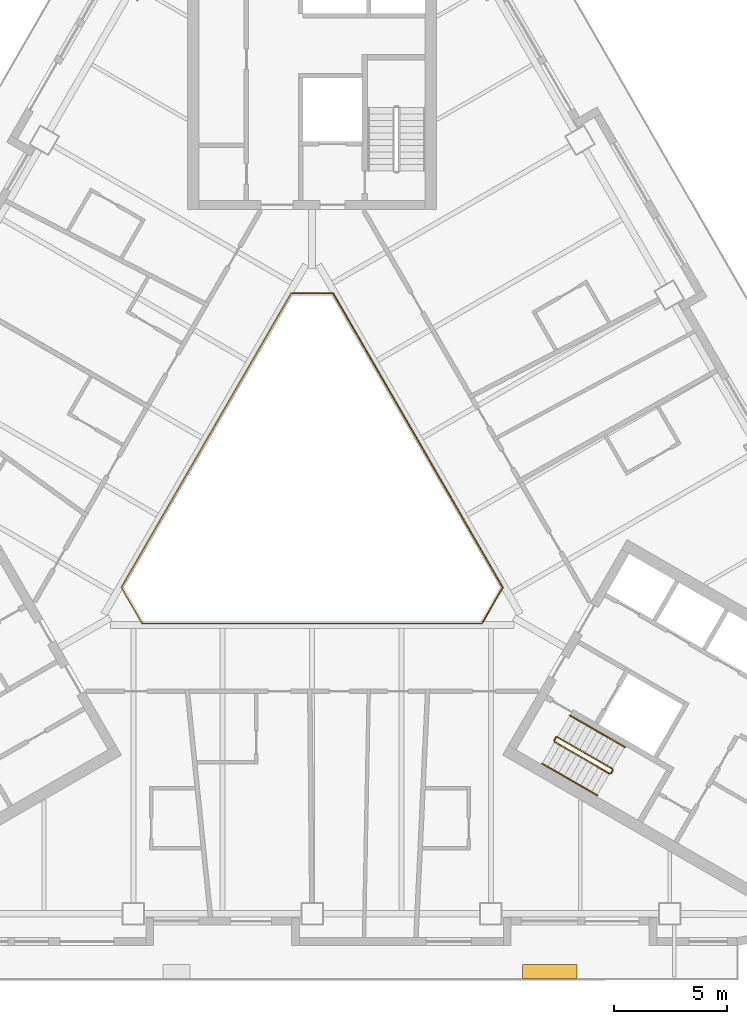
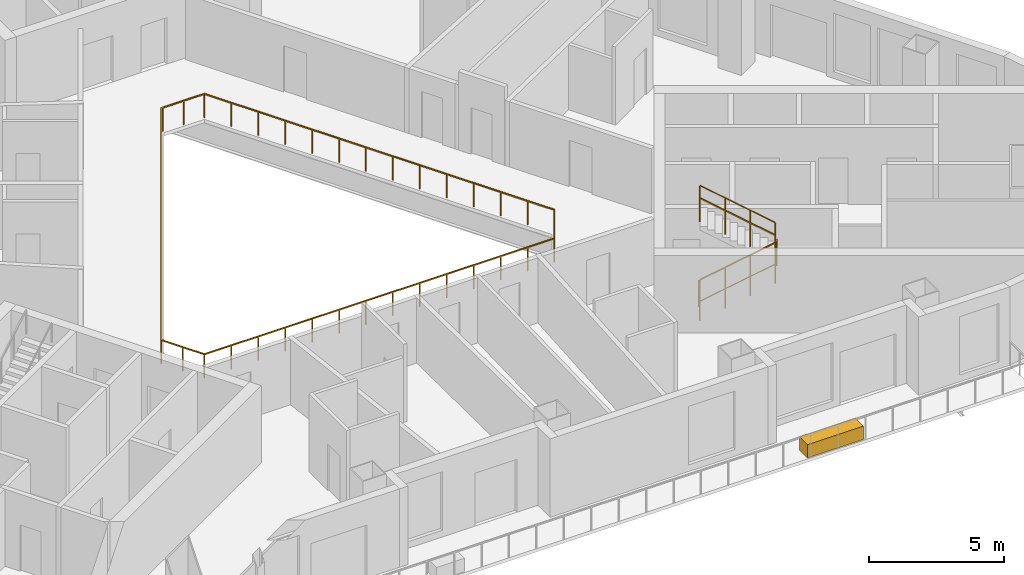
# One storey, part 12 of 14: 8 railings, 1 covering.
"""IFC4 building model written with IfcOpenShell, lengths in metres."""

import ifcopenshell
import ifcopenshell.guid

model = None  # the IFC model being written
_history = None  # IfcOwnerHistory: only IFC2X3 demands one
_inside = {}  # id of a spatial element -> (the spatial element, [elements in it])
_under = {}  # id of a project, library or spatial element -> (it, [spatial elements below it])
_declared = {}  # id of a project -> (the project, [libraries it declares])
_typed = {}  # id of a type object -> (the type object, [elements of that type])
_made_of = {}  # id of a material, layer set ... -> (it, [elements and type objects made of it])


def new_model(schema):
    """Start an empty IFC model of exactly this schema.

    Asked for "IFC4X3", IfcOpenShell would pick the latest addendum, in which some entities
    have other attributes; the version numbers below select the first issue.
    IFC2X3 requires an IfcOwnerHistory on every rooted entity: one is made here for all.
    """
    global model, _history
    if schema == "IFC4X3":
        model = ifcopenshell.file(schema_version=(4, 3, 0, 0))
    else:
        model = ifcopenshell.file(schema=schema)
    _inside.clear()
    _under.clear()
    _declared.clear()
    _typed.clear()
    _made_of.clear()
    _history = None
    if model.schema == "IFC2X3":
        org = make("IfcOrganization", Name="unknown")
        user = make(
            "IfcPersonAndOrganization",
            ThePerson=make("IfcPerson", FamilyName="unknown"),
            TheOrganization=org,
        )
        app = make(
            "IfcApplication",
            ApplicationDeveloper=org,
            Version="unknown",
            ApplicationFullName="unknown",
            ApplicationIdentifier="unknown",
        )
        _history = make(
            "IfcOwnerHistory",
            OwningUser=user,
            OwningApplication=app,
            ChangeAction="ADDED",
            CreationDate=0,
        )
    return model


def make(cls, **values):
    """One entity of the class cls with the attributes given. An attribute that is None is left unset."""
    return model.create_entity(
        cls, **{name: value for name, value in values.items() if value is not None}
    )


def rooted(cls, **values):
    """An entity with a GlobalId (a new one), such as an element, a storey or a relation."""
    return make(cls, GlobalId=ifcopenshell.guid.new(), OwnerHistory=_history, **values)


def si_unit(unit_type, name, prefix=None):
    """IfcSIUnit, for example si_unit("LENGTHUNIT", "METRE", prefix="MILLI")."""
    return make("IfcSIUnit", UnitType=unit_type, Prefix=prefix, Name=name)


def assignment(units):
    """IfcUnitAssignment: the units of a project."""
    return None if units is None else make("IfcUnitAssignment", Units=units)


def point(xyz):
    """IfcCartesianPoint."""
    return None if xyz is None else make("IfcCartesianPoint", Coordinates=xyz)


def direction(xyz):
    """IfcDirection."""
    return None if xyz is None else make("IfcDirection", DirectionRatios=xyz)


def frame(location, z_axis=None, x_axis=None):
    """IfcAxis2Placement3D, a coordinate frame: its origin and axes. An axis left out is left unset."""
    return make(
        "IfcAxis2Placement3D",
        Location=point(location),
        Axis=direction(z_axis),
        RefDirection=direction(x_axis),
    )


def frame_2d(location, x_axis=None):
    """IfcAxis2Placement2D, a coordinate frame in the plane: its origin and x axis."""
    return make(
        "IfcAxis2Placement2D", Location=point(location), RefDirection=direction(x_axis)
    )


def origin():
    """The frame at (0, 0, 0) with its axes left unset."""
    return frame((0.0, 0.0, 0.0))


def origin_2d():
    """The frame at (0, 0) in the plane with its x axis left unset."""
    return frame_2d((0.0, 0.0))


def place(relative_to, where):
    """IfcLocalPlacement: puts the frame where relative to a parent placement (None: the world)."""
    return make(
        "IfcLocalPlacement", PlacementRelTo=relative_to, RelativePlacement=where
    )


def context(
    kind, dimensions, precision=None, world=None, true_north=None, identifier=None
):
    """IfcGeometricRepresentationContext, for example the 3D "Model" context."""
    return make(
        "IfcGeometricRepresentationContext",
        ContextIdentifier=identifier,
        ContextType=kind,
        CoordinateSpaceDimension=dimensions,
        Precision=precision,
        WorldCoordinateSystem=world,
        TrueNorth=true_north,
    )


def subcontext(parent, identifier, kind, view, scale=None):
    """IfcGeometricRepresentationSubContext, for example "Body" below "Model"."""
    return make(
        "IfcGeometricRepresentationSubContext",
        ContextIdentifier=identifier,
        ContextType=kind,
        ParentContext=parent,
        TargetScale=scale,
        TargetView=view,
    )


def project(units=None, contexts=None):
    """IfcProject with its units and contexts."""
    return rooted(
        "IfcProject",
        Name="project",
        RepresentationContexts=contexts,
        UnitsInContext=assignment(units),
    )


def spatial(cls, under=None, at=None, **own):
    """A site, building, storey or space (cls), placed at a placement, below another one or the project."""
    s = rooted(cls, ObjectPlacement=at, **own)
    if under is not None:
        _under.setdefault(under.id(), (under, []))[1].append(s)
    return s


def profile(cls, at=None, kind="AREA", **sizes):
    """A parametric profile (cls). Its sizes go by their IFC names, for example OverallWidth=200.0."""
    return make(cls, ProfileType=kind, Position=at, **sizes)


def rectangle(**sizes):
    """IfcRectangleProfileDef."""
    return profile("IfcRectangleProfileDef", **sizes)


def circle(**sizes):
    """IfcCircleProfileDef."""
    return profile("IfcCircleProfileDef", **sizes)


def extrude(swept, where, along, depth):
    """IfcExtrudedAreaSolid: the profile swept, set in the frame where, extruded along a direction by depth."""
    return make(
        "IfcExtrudedAreaSolid",
        SweptArea=swept,
        Position=where,
        ExtrudedDirection=direction(along),
        Depth=depth,
    )


def shape(context_of_items, identifier, shape_type, items):
    """IfcShapeRepresentation: the items that make up one representation, for example the "Body"."""
    return make(
        "IfcShapeRepresentation",
        ContextOfItems=context_of_items,
        RepresentationIdentifier=identifier,
        RepresentationType=shape_type,
        Items=items,
    )


def material(Name=None, Category=None):
    """IfcMaterial."""
    return make("IfcMaterial", Name=Name, Category=Category)


def made_of(thing, what):
    """Note that an element or type object is made of a material, layer set ...; save() writes the relation."""
    if what is not None:
        _made_of.setdefault(what.id(), (what, []))[1].append(thing)
    return thing


def type_object(cls, material=None, **own):
    """A type object (cls), such as IfcWallType, which elements share."""
    return made_of(rooted(cls, **own), material)


def element(
    cls,
    number,
    at=None,
    inside=None,
    cuts=None,
    type_object=None,
    material=None,
    context=None,
    identifier="Body",
    shape_type=None,
    held_by="IfcProductDefinitionShape",
    body=None,
    shapes=None,
    **own,
):
    """One element of the class cls, such as IfcWall. Its Tag is "e" and its number.

    at: its placement. inside: the storey or other place that contains it. cuts: it is an
    opening in that element (IfcRelVoidsElement). A single representation is given by context,
    identifier, shape_type and body (its items); several are given by shapes. held_by: the class
    of the entity that holds the representations. save() writes the other relations.
    """
    e = rooted(cls, Tag="e%d" % number, ObjectPlacement=at, **own)
    if body is not None:
        shapes = [shape(context, identifier, shape_type, body)]
    if shapes is not None:
        e.Representation = make(held_by, Representations=shapes)
    if inside is not None:
        _inside.setdefault(inside.id(), (inside, []))[1].append(e)
    if cuts is not None:
        rooted(
            "IfcRelVoidsElement", RelatingBuildingElement=cuts, RelatedOpeningElement=e
        )
    if type_object is not None:
        _typed.setdefault(type_object.id(), (type_object, []))[1].append(e)
    return made_of(e, material)


def aggregate(whole, parts):
    """IfcRelAggregates: a whole, such as a stair, and the parts it consists of."""
    return rooted("IfcRelAggregates", RelatingObject=whole, RelatedObjects=parts)


def save(model, path):
    """Write the relations noted so far, then the file.

    IfcRelAggregates (storeys below a building ...), IfcRelContainedInSpatialStructure (elements
    in a storey), IfcRelDefinesByType, IfcRelAssociatesMaterial and IfcRelDeclares: one each for
    every whole, place, type object, material and project.
    """
    for whole, parts in _under.values():
        aggregate(whole, parts)
    for where, things in _inside.values():
        rooted(
            "IfcRelContainedInSpatialStructure",
            RelatedElements=things,
            RelatingStructure=where,
        )
    for kind, things in _typed.values():
        rooted("IfcRelDefinesByType", RelatedObjects=things, RelatingType=kind)
    for what, things in _made_of.values():
        rooted("IfcRelAssociatesMaterial", RelatedObjects=things, RelatingMaterial=what)
    for by, libraries in _declared.values():
        rooted("IfcRelDeclares", RelatingContext=by, RelatedDefinitions=libraries)
    model.write(path)


model = new_model("IFC4")

# Units and contexts
model_context = context("Model", 3, precision=1e-05, world=origin(), true_north=direction((0.0, 1.0)))
body_context = subcontext(model_context, "Body", "Model", "MODEL_VIEW")
ifc_project = project(units=[si_unit("LENGTHUNIT", "METRE"), si_unit("AREAUNIT", "SQUARE_METRE"), si_unit("VOLUMEUNIT", "CUBIC_METRE"), si_unit("PLANEANGLEUNIT", "RADIAN"), si_unit("MASSUNIT", "GRAM", prefix="KILO")], contexts=[model_context])

# Site, building, storey
site_placement = place(None, origin())
site = spatial("IfcSite", under=ifc_project, at=site_placement, CompositionType="ELEMENT")
building_placement = place(site_placement, origin())
building = spatial("IfcBuilding", under=site, at=building_placement, Name="Apuvela Tower Hotel", CompositionType="ELEMENT")
storey_placement = place(building_placement, frame((0.0, 0.0, 72.39990234375)))
storey = spatial("IfcBuildingStorey", under=building, at=storey_placement, Name="L15", CompositionType="ELEMENT", Elevation=72.39990234375)

# Railings
ifc_material_1 = material(Name="Steel S275 balustrade", Category="steel")
railing_type_1 = type_object("IfcRailingType", Name="COR-GUARD-1100", PredefinedType="GUARDRAIL", material=ifc_material_1)
railing_1_placement = place(storey_placement, frame((10.718994140625, -10.63427734375, 0.168212890625)))
element("IfcRailing", 1, at=railing_1_placement, inside=storey, type_object=railing_type_1, Name="L15 ST3 stair guard 1", PredefinedType="GUARDRAIL", context=body_context, shape_type="SweptSolid", body=[
    extrude(rectangle(XDim=0.048095703125, YDim=0.048095703125, at=origin_2d()), frame((0.0, 0.0, 1.076171875), z_axis=(0.742390482028, -0.42860119049, 0.514934356695), x_axis=(0.49998411664, 0.866034573852, 0.0)), (0.0, 0.0, 1.0), 3.26611328125),
    extrude(rectangle(XDim=0.0419921875, YDim=0.0419921875, at=origin_2d()), origin(), (0.0, 0.0, 1.0), 1.052001953125),
    extrude(rectangle(XDim=0.0419921875, YDim=0.0419921875, at=origin_2d()), frame((0.808349609375, -0.466552734375, 0.560546875)), (0.0, 0.0, 1.0), 1.052001953125),
    extrude(rectangle(XDim=0.0419921875, YDim=0.0419921875, at=origin_2d()), frame((1.616455078125, -0.933349609375, 1.121337890625)), (0.0, 0.0, 1.0), 1.052001953125),
    extrude(rectangle(XDim=0.0419921875, YDim=0.0419921875, at=origin_2d()), frame((2.4248046875, -1.39990234375, 1.681884765625)), (0.0, 0.0, 1.0), 1.052001953125),
])
railing_2_placement = place(storey_placement, frame((13.212158203125, -12.015869140625, 1.85009765625)))
element("IfcRailing", 2, at=railing_2_placement, inside=storey, type_object=railing_type_1, Name="L15 ST3 stair guard 2", PredefinedType="GUARDRAIL", context=body_context, shape_type="SweptSolid", body=[
    extrude(rectangle(XDim=0.048095703125, YDim=0.048095703125, at=origin_2d()), frame((0.0, 0.0, 1.076171875), z_axis=(0.499816412211, 0.866131372301, 0.0), x_axis=(-0.866131372301, 0.499816412211, 0.0)), (0.0, 0.0, 1.0), 0.14990234375),
    extrude(rectangle(XDim=0.0419921875, YDim=0.0419921875, at=origin_2d()), origin(), (0.0, 0.0, 1.0), 1.052001953125),
    extrude(rectangle(XDim=0.0419921875, YDim=0.0419921875, at=origin_2d()), frame((0.074951171875, 0.1298828125, 0.0)), (0.0, 0.0, 1.0), 1.052001953125),
])
railing_3_placement = place(storey_placement, frame((13.268798828125, -11.817626953125, 2.018310546875)))
element("IfcRailing", 3, at=railing_3_placement, inside=storey, type_object=railing_type_1, Name="L15 ST3 stair guard 3", PredefinedType="GUARDRAIL", context=body_context, shape_type="SweptSolid", body=[
    extrude(rectangle(XDim=0.048095703125, YDim=0.048095703125, at=origin_2d()), frame((0.0, 0.0, 1.076171875), z_axis=(-0.742390482028, 0.42860119049, 0.514934356695), x_axis=(-0.49998411664, -0.866034573852, 0.0)), (0.0, 0.0, 1.0), 3.26611328125),
    extrude(rectangle(XDim=0.0419921875, YDim=0.0419921875, at=origin_2d()), origin(), (0.0, 0.0, 1.0), 1.052001953125),
    extrude(rectangle(XDim=0.0419921875, YDim=0.0419921875, at=origin_2d()), frame((-0.808349609375, 0.466552734375, 0.560546875)), (0.0, 0.0, 1.0), 1.052001953125),
    extrude(rectangle(XDim=0.0419921875, YDim=0.0419921875, at=origin_2d()), frame((-1.616455078125, 0.933349609375, 1.121337890625)), (0.0, 0.0, 1.0), 1.052001953125),
    extrude(rectangle(XDim=0.0419921875, YDim=0.0419921875, at=origin_2d()), frame((-2.4248046875, 1.39990234375, 1.681884765625)), (0.0, 0.0, 1.0), 1.052001953125),
])
railing_4_placement = place(storey_placement, frame((10.70068359375, -10.56591796875, 0.0)))
element("IfcRailing", 4, at=railing_4_placement, inside=storey, type_object=railing_type_1, Name="L15 ST3 stair guard 4", PredefinedType="GUARDRAIL", context=body_context, shape_type="SweptSolid", body=[
    extrude(rectangle(XDim=0.048095703125, YDim=0.048095703125, at=origin_2d()), frame((0.0, 0.0, 1.076171875), z_axis=(0.499816412211, 0.866131372301, 0.0), x_axis=(-0.866131372301, 0.499816412211, 0.0)), (0.0, 0.0, 1.0), 0.14990234375),
    extrude(rectangle(XDim=0.0419921875, YDim=0.0419921875, at=origin_2d()), origin(), (0.0, 0.0, 1.0), 1.052001953125),
    extrude(rectangle(XDim=0.0419921875, YDim=0.0419921875, at=origin_2d()), frame((0.074951171875, 0.1298828125, 0.0)), (0.0, 0.0, 1.0), 1.052001953125),
])
ifc_material_2 = material(Name="Stainless steel 316 handrail", Category="steel")
railing_type_2 = type_object("IfcRailingType", Name="COR-HANDRAIL-900", PredefinedType="HANDRAIL", material=ifc_material_2)
railing_5_placement = place(storey_placement, frame((10.1689453125, -11.5869140625, 0.168212890625)))
element("IfcRailing", 5, at=railing_5_placement, inside=storey, type_object=railing_type_2, Name="L15 ST3 stair handrail 1", PredefinedType="HANDRAIL", context=body_context, shape_type="SweptSolid", body=[
    extrude(circle(Radius=0.02392578125, at=origin_2d()), frame((0.0, 0.0, 0.8759765625), z_axis=(0.742390482028, -0.42860119049, 0.514934356695), x_axis=(0.49998411664, 0.866034573852, 0.0)), (0.0, 0.0, 1.0), 3.26611328125),
    extrude(rectangle(XDim=0.0419921875, YDim=0.0419921875, at=origin_2d()), origin(), (0.0, 0.0, 1.0), 0.851806640625),
    extrude(rectangle(XDim=0.0419921875, YDim=0.0419921875, at=origin_2d()), frame((0.808349609375, -0.466552734375, 0.560546875)), (0.0, 0.0, 1.0), 0.851806640625),
    extrude(rectangle(XDim=0.0419921875, YDim=0.0419921875, at=origin_2d()), frame((1.616455078125, -0.933349609375, 1.121337890625)), (0.0, 0.0, 1.0), 0.851806640625),
    extrude(rectangle(XDim=0.0419921875, YDim=0.0419921875, at=origin_2d()), frame((2.4248046875, -1.39990234375, 1.681884765625)), (0.0, 0.0, 1.0), 0.851806640625),
])
railing_6_placement = place(storey_placement, frame((13.81884765625, -10.864990234375, 2.018310546875)))
element("IfcRailing", 6, at=railing_6_placement, inside=storey, type_object=railing_type_2, Name="L15 ST3 stair handrail 2", PredefinedType="HANDRAIL", context=body_context, shape_type="SweptSolid", body=[
    extrude(circle(Radius=0.02392578125, at=origin_2d()), frame((0.0, 0.0, 0.8759765625), z_axis=(-0.742390482028, 0.42860119049, 0.514934356695), x_axis=(-0.49998411664, -0.866034573852, 0.0)), (0.0, 0.0, 1.0), 3.26611328125),
    extrude(rectangle(XDim=0.0419921875, YDim=0.0419921875, at=origin_2d()), origin(), (0.0, 0.0, 1.0), 0.851806640625),
    extrude(rectangle(XDim=0.0419921875, YDim=0.0419921875, at=origin_2d()), frame((-0.808349609375, 0.466552734375, 0.560546875)), (0.0, 0.0, 1.0), 0.851806640625),
    extrude(rectangle(XDim=0.0419921875, YDim=0.0419921875, at=origin_2d()), frame((-1.616455078125, 0.933349609375, 1.121337890625)), (0.0, 0.0, 1.0), 0.851806640625),
    extrude(rectangle(XDim=0.0419921875, YDim=0.0419921875, at=origin_2d()), frame((-2.4248046875, 1.39990234375, 1.681884765625)), (0.0, 0.0, 1.0), 0.851806640625),
])
ifc_material_3 = material(Name="Stainless steel 316 rail with laminated glass infill", Category="steel")
railing_type_3 = type_object("IfcRailingType", Name="ENV-GUARD-1100", PredefinedType="GUARDRAIL", material=ifc_material_3)
railing_7_placement = place(storey_placement, frame((-0.923828125, 9.199951171875, 0.0)))
element("IfcRailing", 7, at=railing_7_placement, inside=storey, type_object=railing_type_3, Name="Atrium void guard A L15", PredefinedType="GUARDRAIL", context=body_context, shape_type="SweptSolid", body=[
    extrude(rectangle(XDim=0.050048828125, YDim=0.050048828125, at=origin_2d()), frame((0.0, 0.0, 1.0751953125), z_axis=(-0.499990886379, -0.866030665472, 0.0), x_axis=(0.866030665472, -0.499990886379, 0.0)), (0.0, 0.0, 1.0), 15.010986328125),
    extrude(rectangle(XDim=0.050048828125, YDim=0.050048828125, at=origin_2d()), frame((-7.50537109375, -13.0, 1.0751953125), z_axis=(0.499962699187, -0.866046938348, 0.0), x_axis=(0.866046938348, 0.499962699187, 0.0)), (0.0, 0.0, 1.0), 1.847412109375),
    extrude(rectangle(XDim=0.050048828125, YDim=0.050048828125, at=origin_2d()), frame((-6.581787109375, -14.599853515625, 1.0751953125), z_axis=(1.0, 0.0, 0.0), x_axis=(0.0, 1.0, 0.0)), (0.0, 0.0, 1.0), 15.01123046875),
    extrude(rectangle(XDim=0.0400390625, YDim=0.0400390625, at=origin_2d()), origin(), (0.0, 0.0, 1.0), 1.050048828125),
    extrude(rectangle(XDim=0.0400390625, YDim=0.0400390625, at=origin_2d()), frame((-0.577392578125, -1.0, 0.0)), (0.0, 0.0, 1.0), 1.050048828125),
    extrude(rectangle(XDim=0.0400390625, YDim=0.0400390625, at=origin_2d()), frame((-1.15478515625, -2.0, 0.0)), (0.0, 0.0, 1.0), 1.050048828125),
    extrude(rectangle(XDim=0.0400390625, YDim=0.0400390625, at=origin_2d()), frame((-1.73193359375, -3.0, 0.0)), (0.0, 0.0, 1.0), 1.050048828125),
    extrude(rectangle(XDim=0.0400390625, YDim=0.0400390625, at=origin_2d()), frame((-2.309326171875, -4.0, 0.0)), (0.0, 0.0, 1.0), 1.050048828125),
    extrude(rectangle(XDim=0.0400390625, YDim=0.0400390625, at=origin_2d()), frame((-2.88671875, -5.0, 0.0)), (0.0, 0.0, 1.0), 1.050048828125),
    extrude(rectangle(XDim=0.0400390625, YDim=0.0400390625, at=origin_2d()), frame((-3.464111328125, -6.0, 0.0)), (0.0, 0.0, 1.0), 1.050048828125),
    extrude(rectangle(XDim=0.0400390625, YDim=0.0400390625, at=origin_2d()), frame((-4.041259765625, -7.0, 0.0)), (0.0, 0.0, 1.0), 1.050048828125),
    extrude(rectangle(XDim=0.0400390625, YDim=0.0400390625, at=origin_2d()), frame((-4.61865234375, -8.0, 0.0)), (0.0, 0.0, 1.0), 1.050048828125),
    extrude(rectangle(XDim=0.0400390625, YDim=0.0400390625, at=origin_2d()), frame((-5.196044921875, -9.0, 0.0)), (0.0, 0.0, 1.0), 1.050048828125),
    extrude(rectangle(XDim=0.0400390625, YDim=0.0400390625, at=origin_2d()), frame((-5.7734375, -10.0, 0.0)), (0.0, 0.0, 1.0), 1.050048828125),
    extrude(rectangle(XDim=0.0400390625, YDim=0.0400390625, at=origin_2d()), frame((-6.3505859375, -11.0, 0.0)), (0.0, 0.0, 1.0), 1.050048828125),
    extrude(rectangle(XDim=0.0400390625, YDim=0.0400390625, at=origin_2d()), frame((-6.927978515625, -12.0, 0.0)), (0.0, 0.0, 1.0), 1.050048828125),
    extrude(rectangle(XDim=0.0400390625, YDim=0.0400390625, at=origin_2d()), frame((-7.50537109375, -13.0, 0.0)), (0.0, 0.0, 1.0), 1.050048828125),
    extrude(rectangle(XDim=0.0400390625, YDim=0.0400390625, at=origin_2d()), frame((-7.04345703125, -13.7998046875, 0.0)), (0.0, 0.0, 1.0), 1.050048828125),
    extrude(rectangle(XDim=0.0400390625, YDim=0.0400390625, at=origin_2d()), frame((-6.581787109375, -14.599853515625, 0.0)), (0.0, 0.0, 1.0), 1.050048828125),
    extrude(rectangle(XDim=0.0400390625, YDim=0.0400390625, at=origin_2d()), frame((-5.427001953125, -14.599853515625, 0.0)), (0.0, 0.0, 1.0), 1.050048828125),
    extrude(rectangle(XDim=0.0400390625, YDim=0.0400390625, at=origin_2d()), frame((-4.2724609375, -14.599853515625, 0.0)), (0.0, 0.0, 1.0), 1.050048828125),
    extrude(rectangle(XDim=0.0400390625, YDim=0.0400390625, at=origin_2d()), frame((-3.11767578125, -14.599853515625, 0.0)), (0.0, 0.0, 1.0), 1.050048828125),
    extrude(rectangle(XDim=0.0400390625, YDim=0.0400390625, at=origin_2d()), frame((-1.962890625, -14.599853515625, 0.0)), (0.0, 0.0, 1.0), 1.050048828125),
    extrude(rectangle(XDim=0.0400390625, YDim=0.0400390625, at=origin_2d()), frame((-0.808349609375, -14.599853515625, 0.0)), (0.0, 0.0, 1.0), 1.050048828125),
    extrude(rectangle(XDim=0.0400390625, YDim=0.0400390625, at=origin_2d()), frame((0.346435546875, -14.599853515625, 0.0)), (0.0, 0.0, 1.0), 1.050048828125),
    extrude(rectangle(XDim=0.0400390625, YDim=0.0400390625, at=origin_2d()), frame((1.501220703125, -14.599853515625, 0.0)), (0.0, 0.0, 1.0), 1.050048828125),
    extrude(rectangle(XDim=0.0400390625, YDim=0.0400390625, at=origin_2d()), frame((2.656005859375, -14.599853515625, 0.0)), (0.0, 0.0, 1.0), 1.050048828125),
    extrude(rectangle(XDim=0.0400390625, YDim=0.0400390625, at=origin_2d()), frame((3.810546875, -14.599853515625, 0.0)), (0.0, 0.0, 1.0), 1.050048828125),
    extrude(rectangle(XDim=0.0400390625, YDim=0.0400390625, at=origin_2d()), frame((4.96533203125, -14.599853515625, 0.0)), (0.0, 0.0, 1.0), 1.050048828125),
    extrude(rectangle(XDim=0.0400390625, YDim=0.0400390625, at=origin_2d()), frame((6.1201171875, -14.599853515625, 0.0)), (0.0, 0.0, 1.0), 1.050048828125),
    extrude(rectangle(XDim=0.0400390625, YDim=0.0400390625, at=origin_2d()), frame((7.274658203125, -14.599853515625, 0.0)), (0.0, 0.0, 1.0), 1.050048828125),
    extrude(rectangle(XDim=0.0400390625, YDim=0.0400390625, at=origin_2d()), frame((8.429443359375, -14.599853515625, 0.0)), (0.0, 0.0, 1.0), 1.050048828125),
])
railing_8_placement = place(storey_placement, frame((7.53564453125, -5.347900390625, 0.0)))
element("IfcRailing", 8, at=railing_8_placement, inside=storey, type_object=railing_type_3, Name="Atrium void guard B L15", PredefinedType="GUARDRAIL", context=body_context, shape_type="SweptSolid", body=[
    extrude(rectangle(XDim=0.050048828125, YDim=0.050048828125, at=origin_2d()), frame((0.0, 0.0, 1.0751953125), z_axis=(0.499958946799, 0.866049104564, 0.0), x_axis=(-0.866049104564, 0.499958946799, 0.0)), (0.0, 0.0, 1.0), 1.787353515625),
    extrude(rectangle(XDim=0.050048828125, YDim=0.050048828125, at=origin_2d()), frame((0.8935546875, 1.5478515625, 1.0751953125), z_axis=(-0.499990886379, 0.866030665472, 0.0), x_axis=(-0.866030665472, -0.499990886379, 0.0)), (0.0, 0.0, 1.0), 15.010986328125),
    extrude(rectangle(XDim=0.050048828125, YDim=0.050048828125, at=origin_2d()), frame((-6.61181640625, 14.5478515625, 1.0751953125), z_axis=(-1.0, 0.0, 0.0), x_axis=(0.0, -1.0, 0.0)), (0.0, 0.0, 1.0), 1.78759765625),
    extrude(rectangle(XDim=0.0400390625, YDim=0.0400390625, at=origin_2d()), origin(), (0.0, 0.0, 1.0), 1.050048828125),
    extrude(rectangle(XDim=0.0400390625, YDim=0.0400390625, at=origin_2d()), frame((0.44677734375, 0.77392578125, 0.0)), (0.0, 0.0, 1.0), 1.050048828125),
    extrude(rectangle(XDim=0.0400390625, YDim=0.0400390625, at=origin_2d()), frame((0.8935546875, 1.5478515625, 0.0)), (0.0, 0.0, 1.0), 1.050048828125),
    extrude(rectangle(XDim=0.0400390625, YDim=0.0400390625, at=origin_2d()), frame((0.316162109375, 2.5478515625, 0.0)), (0.0, 0.0, 1.0), 1.050048828125),
    extrude(rectangle(XDim=0.0400390625, YDim=0.0400390625, at=origin_2d()), frame((-0.26123046875, 3.5478515625, 0.0)), (0.0, 0.0, 1.0), 1.050048828125),
    extrude(rectangle(XDim=0.0400390625, YDim=0.0400390625, at=origin_2d()), frame((-0.83837890625, 4.5478515625, 0.0)), (0.0, 0.0, 1.0), 1.050048828125),
    extrude(rectangle(XDim=0.0400390625, YDim=0.0400390625, at=origin_2d()), frame((-1.415771484375, 5.5478515625, 0.0)), (0.0, 0.0, 1.0), 1.050048828125),
    extrude(rectangle(XDim=0.0400390625, YDim=0.0400390625, at=origin_2d()), frame((-1.9931640625, 6.5478515625, 0.0)), (0.0, 0.0, 1.0), 1.050048828125),
    extrude(rectangle(XDim=0.0400390625, YDim=0.0400390625, at=origin_2d()), frame((-2.570556640625, 7.5478515625, 0.0)), (0.0, 0.0, 1.0), 1.050048828125),
    extrude(rectangle(XDim=0.0400390625, YDim=0.0400390625, at=origin_2d()), frame((-3.147705078125, 8.5478515625, 0.0)), (0.0, 0.0, 1.0), 1.050048828125),
    extrude(rectangle(XDim=0.0400390625, YDim=0.0400390625, at=origin_2d()), frame((-3.72509765625, 9.5478515625, 0.0)), (0.0, 0.0, 1.0), 1.050048828125),
    extrude(rectangle(XDim=0.0400390625, YDim=0.0400390625, at=origin_2d()), frame((-4.302490234375, 10.5478515625, 0.0)), (0.0, 0.0, 1.0), 1.050048828125),
    extrude(rectangle(XDim=0.0400390625, YDim=0.0400390625, at=origin_2d()), frame((-4.8798828125, 11.5478515625, 0.0)), (0.0, 0.0, 1.0), 1.050048828125),
    extrude(rectangle(XDim=0.0400390625, YDim=0.0400390625, at=origin_2d()), frame((-5.45703125, 12.5478515625, 0.0)), (0.0, 0.0, 1.0), 1.050048828125),
    extrude(rectangle(XDim=0.0400390625, YDim=0.0400390625, at=origin_2d()), frame((-6.034423828125, 13.5478515625, 0.0)), (0.0, 0.0, 1.0), 1.050048828125),
    extrude(rectangle(XDim=0.0400390625, YDim=0.0400390625, at=origin_2d()), frame((-6.61181640625, 14.5478515625, 0.0)), (0.0, 0.0, 1.0), 1.050048828125),
    extrude(rectangle(XDim=0.0400390625, YDim=0.0400390625, at=origin_2d()), frame((-7.505615234375, 14.5478515625, 0.0)), (0.0, 0.0, 1.0), 1.050048828125),
    extrude(rectangle(XDim=0.0400390625, YDim=0.0400390625, at=origin_2d()), frame((-8.3994140625, 14.5478515625, 0.0)), (0.0, 0.0, 1.0), 1.050048828125),
])

# Covering
ifc_material_4 = material(Name="Planting substrate and soil, planted")
covering_type = type_object("IfcCoveringType", Name="ENV-PLANTER-2400x600", PredefinedType="USERDEFINED", material=ifc_material_4)
covering_placement = place(storey_placement, frame((10.5, -20.780029296875, 0.0), z_axis=(0.0, 0.0, 1.0), x_axis=(1.0, 0.0, 0.0)))
element("IfcCovering", 9, at=covering_placement, inside=storey, type_object=covering_type, Name="Planter S2", ObjectType="PLANTER", PredefinedType="USERDEFINED", context=body_context, shape_type="SweptSolid", body=[
    extrude(rectangle(XDim=2.39990234375, YDim=0.60009765625, at=origin_2d()), origin(), (0.0, 0.0, 1.0), 0.60009765625),
])

save(model, "model.ifc")
